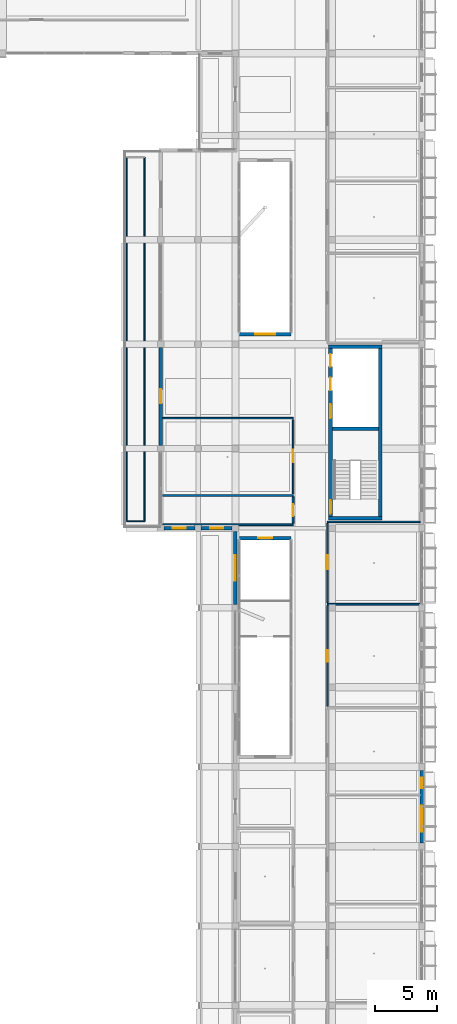
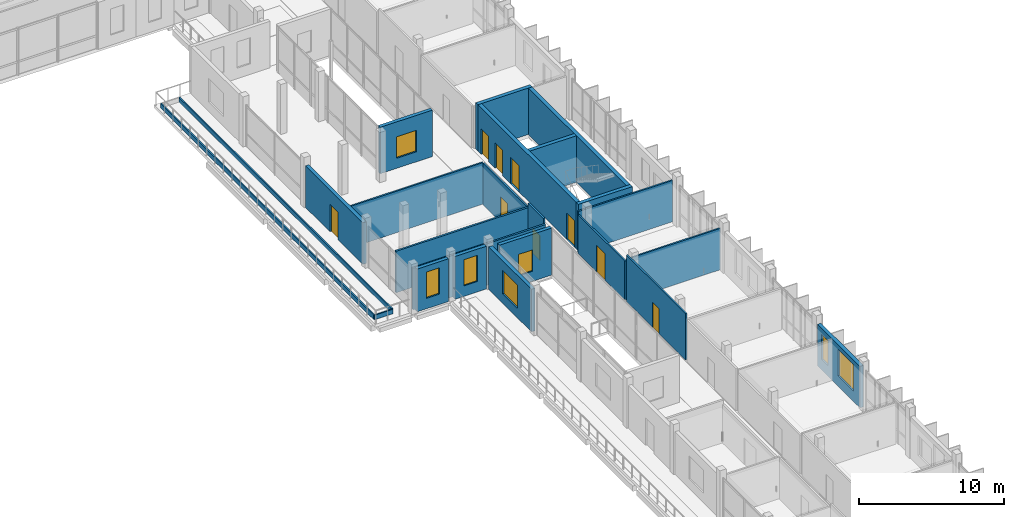
# One storey, part 53 of 85: 24 walls, 9 doors, 7 windows, 16 openings.
"""IFC4 building model written with IfcOpenShell, lengths in metres."""

from ifc_helpers import new_model, si_unit, derived_unit, direction, frame, frame_2d, origin, origin_with_axes, place, context, subcontext, project, spatial, rectangle, extrude, material, layer, layer_set, type_object, element, fill, save


model = new_model("IFC4")

# Units and contexts
model_context = context("Model", 3, precision=1e-05, world=origin(), true_north=direction((0.0, 1.0)))
body_context = subcontext(model_context, "Body", "Model", "MODEL_VIEW")
ifc_project = project(units=[si_unit("LENGTHUNIT", "METRE"), si_unit("AREAUNIT", "SQUARE_METRE"), si_unit("VOLUMEUNIT", "CUBIC_METRE"), si_unit("PLANEANGLEUNIT", "RADIAN"), si_unit("MASSUNIT", "GRAM", prefix="KILO"), derived_unit("THERMALTRANSMITTANCEUNIT", [(si_unit("POWERUNIT", "WATT"), 1), (si_unit("LENGTHUNIT", "METRE"), -2), (si_unit("THERMODYNAMICTEMPERATUREUNIT", "KELVIN"), -1)])], contexts=[model_context])

# Site, building, storey
site_placement = place(None, origin())
site = spatial("IfcSite", under=ifc_project, at=site_placement, CompositionType="ELEMENT")
building_placement = place(site_placement, origin())
building = spatial("IfcBuilding", under=site, at=building_placement, Name="Braskholm Square Health Centre", CompositionType="ELEMENT")
storey_placement = place(building_placement, frame((0.0, 0.0, 9.300048828125)))
storey = spatial("IfcBuildingStorey", under=building, at=storey_placement, Name="L03", CompositionType="ELEMENT", Elevation=9.300048828125)

# Wall, opening, door
ifc_material_1 = material(Name="Acoustic gypsum board partition")
ifc_layer_1 = layer(ifc_material_1, 0.125)
ifc_layer_set_1 = layer_set([ifc_layer_1], Name="Acoustic gypsum board partition")
wall_type_1 = type_object("IfcWallType", Name="ClinicalExamPartition125", PredefinedType="PARTITIONING", material=ifc_layer_set_1)
wall_1_placement = place(storey_placement, frame((156.199951171875, 34.659912109375, 0.0), z_axis=(0.0, 0.0, 1.0), x_axis=(0.0, 1.0, 0.0)))
wall_1 = element("IfcWall", 1, at=wall_1_placement, inside=storey, type_object=wall_type_1, Name="Interior partition PWALL-L03-0390", PredefinedType="PARTITIONING", context=body_context, shape_type="SweptSolid", body=[
    extrude(rectangle(XDim=8.10009765625, YDim=0.125, at=frame_2d((4.050048828125, 0.0))), origin(), (0.0, 0.0, 1.0), 3.89501953125),
])
opening_1_placement = place(wall_1_placement, frame((3.60009765625, 0.0, 0.0)))
opening_1 = element("IfcOpeningElement", 2, at=opening_1_placement, cuts=wall_1, Name="Opening D-07", PredefinedType="OPENING", context=body_context, shape_type="SweptSolid", body=[
    extrude(rectangle(XDim=0.89990234375, YDim=2.1201171875, at=frame_2d((0.449951171875, 1.06005859375))), frame((0.0, 0.072509765625, 0.0), z_axis=(0.0, -1.0, 0.0), x_axis=(1.0, 0.0, 0.0)), (0.0, 0.0, 1.0), 0.14501953125),
])
ifc_material_2 = material(Name="Architectural bronze anodised aluminium", Category="aluminium")
door_type_1 = type_object("IfcDoorType", Name="DoorProviderOffice900x2120", OperationType="NOTDEFINED", PredefinedType="DOOR", material=ifc_material_2)
door_1_placement = place(opening_1_placement, frame((0.89990234375, 0.0, 0.0), z_axis=(0.0, 0.0, 1.0), x_axis=(-1.0, 0.0, 0.0)))
door_1 = element("IfcDoor", 3, at=door_1_placement, inside=storey, type_object=door_type_1, Name="Interior door 0183 L03", OperationType="SINGLE_SWING_LEFT", OverallHeight=2.1201171875, OverallWidth=0.89990234375, PredefinedType="DOOR", context=body_context, shape_type="SweptSolid", body=[
    extrude(rectangle(XDim=0.89990234375, YDim=2.1201171875, at=frame_2d((0.449951171875, 1.06005859375))), frame((0.0, 0.02490234375, 0.0), z_axis=(0.0, -1.0, 0.0), x_axis=(1.0, 0.0, 0.0)), (0.0, 0.0, 1.0), 0.050048828125),
])
fill(opening_1, door_1)

# Wall
wall_2_placement = place(storey_placement, frame((156.199951171875, 42.8798828125, 0.0), z_axis=(0.0, 0.0, 1.0), x_axis=(1.0, 0.0, 0.0)))
element("IfcWall", 4, at=wall_2_placement, inside=storey, type_object=wall_type_1, Name="Interior partition PWALL-L03-0391", PredefinedType="PARTITIONING", context=body_context, shape_type="SweptSolid", body=[
    extrude(rectangle(XDim=7.4599609375, YDim=0.125, at=frame_2d((3.72998046875, 0.0))), origin(), (0.0, 0.0, 1.0), 3.474853515625),
])

# Wall, opening, door
wall_3_placement = place(storey_placement, frame((156.199951171875, 43.0, 0.0), z_axis=(0.0, 0.0, 1.0), x_axis=(0.0, 1.0, 0.0)))
wall_3 = element("IfcWall", 5, at=wall_3_placement, inside=storey, type_object=wall_type_1, Name="Interior partition PWALL-L03-0392", PredefinedType="PARTITIONING", context=body_context, shape_type="SweptSolid", body=[
    extrude(rectangle(XDim=6.3798828125, YDim=0.125, at=frame_2d((3.18994140625, 0.0))), origin(), (0.0, 0.0, 1.0), 3.244873046875),
])
opening_2_placement = place(wall_3_placement, frame((2.696044921875, 0.0, 0.0)))
opening_2 = element("IfcOpeningElement", 6, at=opening_2_placement, cuts=wall_3, Name="Opening D-26", PredefinedType="OPENING", context=body_context, shape_type="SweptSolid", body=[
    extrude(rectangle(XDim=1.139892578125, YDim=2.219970703125, at=frame_2d((0.56982421875, 1.10986328125))), frame((0.0, 0.072509765625, 0.0), z_axis=(0.0, -1.0, 0.0), x_axis=(1.0, 0.0, 0.0)), (0.0, 0.0, 1.0), 0.14501953125),
])
door_type_2 = type_object("IfcDoorType", Name="DoorExamWide1140x2220", OperationType="NOTDEFINED", PredefinedType="DOOR", material=ifc_material_2)
door_2_placement = place(opening_2_placement, frame((1.139892578125, 0.0, 0.0), z_axis=(0.0, 0.0, 1.0), x_axis=(-1.0, 0.0, 0.0)))
door_2 = element("IfcDoor", 7, at=door_2_placement, inside=storey, type_object=door_type_2, Name="Interior door 0184 L03", OperationType="SINGLE_SWING_RIGHT", OverallHeight=2.219970703125, OverallWidth=1.139892578125, PredefinedType="DOOR", context=body_context, shape_type="SweptSolid", body=[
    extrude(rectangle(XDim=1.139892578125, YDim=2.219970703125, at=frame_2d((0.56982421875, 1.10986328125))), frame((0.0, 0.02490234375, 0.0), z_axis=(0.0, -1.0, 0.0), x_axis=(1.0, 0.0, 0.0)), (0.0, 0.0, 1.0), 0.050048828125),
])
fill(opening_2, door_2)

# Wall
wall_4_placement = place(storey_placement, frame((156.199951171875, 49.5, 0.0), z_axis=(0.0, 0.0, 1.0), x_axis=(1.0, 0.0, 0.0)))
element("IfcWall", 8, at=wall_4_placement, inside=storey, type_object=wall_type_1, Name="Interior partition PWALL-L03-0393", PredefinedType="PARTITIONING", context=body_context, shape_type="SweptSolid", body=[
    extrude(rectangle(XDim=7.4599609375, YDim=0.125, at=frame_2d((3.72998046875, 0.0))), origin(), (0.0, 0.0, 1.0), 3.474853515625),
])

# Wall, opening, door
wall_5_placement = place(storey_placement, frame((153.449951171875, 51.75, 0.0), z_axis=(0.0, 0.0, 1.0), x_axis=(0.0, 1.0, 0.0)))
wall_5 = element("IfcWall", 9, at=wall_5_placement, inside=storey, type_object=wall_type_1, Name="Interior partition PWALL-L03-0418", PredefinedType="PARTITIONING", context=body_context, shape_type="SweptSolid", body=[
    extrude(rectangle(XDim=5.97998046875, YDim=0.125, at=frame_2d((2.989990234375, 0.0))), origin(), (0.0, 0.0, 1.0), 3.494873046875),
])
opening_3_placement = place(wall_5_placement, frame((2.56689453125, 0.0, 0.0)))
opening_3 = element("IfcOpeningElement", 10, at=opening_3_placement, cuts=wall_5, Name="Opening D-02", PredefinedType="OPENING", context=body_context, shape_type="SweptSolid", body=[
    extrude(rectangle(XDim=1.0, YDim=2.14990234375, at=frame_2d((0.5, 1.074951171875))), frame((0.0, 0.072509765625, 0.0), z_axis=(0.0, -1.0, 0.0), x_axis=(1.0, 0.0, 0.0)), (0.0, 0.0, 1.0), 0.14501953125),
])
door_type_3 = type_object("IfcDoorType", Name="DoorExamSingle1000x2150", OperationType="NOTDEFINED", PredefinedType="DOOR", material=ifc_material_2)
door_3_placement = place(opening_3_placement, origin_with_axes())
door_3 = element("IfcDoor", 11, at=door_3_placement, inside=storey, type_object=door_type_3, Name="Interior door 0197 L03", OperationType="SINGLE_SWING_RIGHT", OverallHeight=2.14990234375, OverallWidth=1.0, PredefinedType="DOOR", context=body_context, shape_type="SweptSolid", body=[
    extrude(rectangle(XDim=1.0, YDim=2.14990234375, at=frame_2d((0.5, 1.074951171875))), frame((0.0, 0.02490234375, 0.0), z_axis=(0.0, -1.0, 0.0), x_axis=(1.0, 0.0, 0.0)), (0.0, 0.0, 1.0), 0.050048828125),
])
fill(opening_3, door_3)

# Wall
wall_6_placement = place(storey_placement, frame((142.93994140625, 57.85009765625, 0.0), z_axis=(0.0, 0.0, 1.0), x_axis=(1.0, 0.0, 0.0)))
element("IfcWall", 12, at=wall_6_placement, inside=storey, type_object=wall_type_1, Name="Interior partition PWALL-L03-0419", PredefinedType="PARTITIONING", context=body_context, shape_type="SweptSolid", body=[
    extrude(rectangle(XDim=10.510009765625, YDim=0.125, at=frame_2d((5.2548828125, 0.0))), origin(), (0.0, 0.0, 1.0), 3.48486328125),
])

# Wall, opening, door
ifc_layer_2 = layer(ifc_material_1, 0.14990234375)
ifc_layer_set_2 = layer_set([ifc_layer_2], Name="Acoustic gypsum board partition")
wall_type_2 = type_object("IfcWallType", Name="CorridorAcousticPartition150", PredefinedType="PARTITIONING", material=ifc_layer_set_2)
wall_7_placement = place(storey_placement, frame((153.449951171875, 49.39990234375, 0.0), z_axis=(0.0, 0.0, 1.0), x_axis=(0.0, 1.0, 0.0)))
wall_7 = element("IfcWall", 13, at=wall_7_placement, inside=storey, type_object=wall_type_2, Name="Interior partition PWALL-L03-0415", PredefinedType="PARTITIONING", context=body_context, shape_type="SweptSolid", body=[
    extrude(rectangle(XDim=2.110107421875, YDim=0.14990234375, at=frame_2d((1.05517578125, 0.0))), origin(), (0.0, 0.0, 1.0), 3.89501953125),
])
opening_4_placement = place(wall_7_placement, frame((0.574951171875, 0.0, 0.0)))
opening_4 = element("IfcOpeningElement", 14, at=opening_4_placement, cuts=wall_7, Name="Opening D-05", PredefinedType="OPENING", context=body_context, shape_type="SweptSolid", body=[
    extrude(rectangle(XDim=0.9599609375, YDim=2.10009765625, at=frame_2d((0.47998046875, 1.050048828125))), frame((0.0, 0.0849609375, 0.0), z_axis=(0.0, -1.0, 0.0), x_axis=(1.0, 0.0, 0.0)), (0.0, 0.0, 1.0), 0.169921875),
])
door_type_4 = type_object("IfcDoorType", Name="DoorAccessibleWC960x2100", OperationType="NOTDEFINED", PredefinedType="DOOR", material=ifc_material_2)
door_4_placement = place(opening_4_placement, origin_with_axes())
door_4 = element("IfcDoor", 15, at=door_4_placement, inside=storey, type_object=door_type_4, Name="Interior door 0196 L03", OperationType="SINGLE_SWING_LEFT", OverallHeight=2.10009765625, OverallWidth=0.9599609375, PredefinedType="DOOR", context=body_context, shape_type="SweptSolid", body=[
    extrude(rectangle(XDim=0.9599609375, YDim=2.10009765625, at=frame_2d((0.47998046875, 1.050048828125))), frame((0.0, 0.02490234375, 0.0), z_axis=(0.0, -1.0, 0.0), x_axis=(1.0, 0.0, 0.0)), (0.0, 0.0, 1.0), 0.050048828125),
])
fill(opening_4, door_4)

# Walls
for number, where, z_axis, x_axis, name in (
    (16, (142.93994140625, 49.280029296875, 0.0), (0.0, 0.0, 1.0), (1.0, 0.0, 0.0), "Interior partition PWALL-L03-0416"),
    (17, (142.93994140625, 51.6298828125, 0.0), (0.0, 0.0, 1.0), (1.0, 0.0, 0.0), "Interior partition PWALL-L03-0417"),
):
    element("IfcWall", number, at=place(storey_placement, frame(where, z_axis=z_axis, x_axis=x_axis)), inside=storey, type_object=wall_type_2, Name=name, PredefinedType="PARTITIONING", context=body_context, shape_type="SweptSolid", body=[
        extrude(rectangle(XDim=10.510009765625, YDim=0.14990234375, at=frame_2d((5.2548828125, 0.0))), origin(), (0.0, 0.0, 1.0), 3.48486328125),
    ])

# Wall, openings, windows
ifc_material_3 = material(Name="Precast concrete C40/50 architectural white", Category="concrete")
ifc_layer_3 = layer(ifc_material_3, 0.280029296875)
ifc_layer_set_3 = layer_set([ifc_layer_3], Name="Precast concrete C40/50 architectural white")
wall_type_3 = type_object("IfcWallType", Name="ExteriorPrecastSpandrelWall280", PredefinedType="SOLIDWALL", material=ifc_layer_set_3)
wall_8_placement = place(storey_placement, frame((163.800048828125, 23.681884765625, 0.0), z_axis=(0.0, 0.0, 1.0), x_axis=(0.0, 1.0, 0.0)))
wall_8 = element("IfcWall", 18, at=wall_8_placement, inside=storey, type_object=wall_type_3, Name="Exterior wall EWALL-L03-0071", PredefinedType="SOLIDWALL", context=body_context, shape_type="SweptSolid", body=[
    extrude(rectangle(XDim=5.836181640625, YDim=0.280029296875, at=frame_2d((2.91796875, 0.0))), origin(), (0.0, 0.0, 1.0), 3.47998046875),
])
opening_5_placement = place(wall_8_placement, frame((0.89794921875, 0.0, 0.8798828125)))
opening_5 = element("IfcOpeningElement", 19, at=opening_5_placement, cuts=wall_8, Name="Opening WN-04", PredefinedType="OPENING", context=body_context, shape_type="SweptSolid", body=[
    extrude(rectangle(XDim=2.10009765625, YDim=2.199951171875, at=frame_2d((1.050048828125, 1.10009765625))), frame((0.0, 0.14990234375, 0.0), z_axis=(0.0, -1.0, 0.0), x_axis=(1.0, 0.0, 0.0)), (0.0, 0.0, 1.0), 0.300048828125),
])
opening_6_placement = place(wall_8_placement, frame((4.403076171875, 0.0, 0.8798828125)))
opening_6 = element("IfcOpeningElement", 20, at=opening_6_placement, cuts=wall_8, Name="Opening WN-32", PredefinedType="OPENING", context=body_context, shape_type="SweptSolid", body=[
    extrude(rectangle(XDim=0.85009765625, YDim=2.10009765625, at=frame_2d((0.425048828125, 1.050048828125))), frame((0.0, 0.14990234375, 0.0), z_axis=(0.0, -1.0, 0.0), x_axis=(1.0, 0.0, 0.0)), (0.0, 0.0, 1.0), 0.300048828125),
])
ifc_material_4 = material(Name="Low-E triple insulating glass (VLT 0.64)", Category="glass")
window_type_1 = type_object("IfcWindowType", Name="WinArtDecoNarrow850x2100", PartitioningType="SINGLE_PANEL", PredefinedType="WINDOW", material=ifc_material_4)
window_1_placement = place(opening_6_placement, origin_with_axes())
window_1 = element("IfcWindow", 21, at=window_1_placement, inside=storey, type_object=window_type_1, Name="Exterior window 0124 L03", OverallHeight=2.10009765625, OverallWidth=0.85009765625, PartitioningType="SINGLE_PANEL", PredefinedType="WINDOW", context=body_context, shape_type="SweptSolid", body=[
    extrude(rectangle(XDim=0.85009765625, YDim=2.10009765625, at=frame_2d((0.425048828125, 1.050048828125))), frame((0.0, 0.030029296875, 0.0), z_axis=(0.0, -1.0, 0.0), x_axis=(1.0, 0.0, 0.0)), (0.0, 0.0, 1.0), 0.06005859375),
])
fill(opening_6, window_1)
window_type_2 = type_object("IfcWindowType", Name="WinArtDecoTriple2100x2200", PartitioningType="SINGLE_PANEL", PredefinedType="WINDOW", material=ifc_material_4)
window_2_placement = place(opening_5_placement, origin_with_axes())
window_2 = element("IfcWindow", 22, at=window_2_placement, inside=storey, type_object=window_type_2, Name="Exterior window 0123 L03", OverallHeight=2.199951171875, OverallWidth=2.10009765625, PartitioningType="SINGLE_PANEL", PredefinedType="WINDOW", context=body_context, shape_type="SweptSolid", body=[
    extrude(rectangle(XDim=2.10009765625, YDim=2.199951171875, at=frame_2d((1.050048828125, 1.10009765625))), frame((0.0, 0.030029296875, 0.0), z_axis=(0.0, -1.0, 0.0), x_axis=(1.0, 0.0, 0.0)), (0.0, 0.0, 1.0), 0.06005859375),
])
fill(opening_5, window_2)

# Wall, opening, window
wall_9_placement = place(storey_placement, frame((148.800048828125, 48.748046875, 0.0), z_axis=(0.0, 0.0, 1.0), x_axis=(0.0, -1.0, 0.0)))
wall_9 = element("IfcWall", 23, at=wall_9_placement, inside=storey, type_object=wall_type_3, Name="Exterior wall EWALL-L03-0186", PredefinedType="SOLIDWALL", context=body_context, shape_type="SweptSolid", body=[
    extrude(rectangle(XDim=5.89599609375, YDim=0.280029296875, at=frame_2d((2.947998046875, 0.0))), origin(), (0.0, 0.0, 1.0), 3.570068359375),
])
opening_7_placement = place(wall_9_placement, frame((1.923095703125, 0.0, 0.800048828125)))
opening_7 = element("IfcOpeningElement", 24, at=opening_7_placement, cuts=wall_9, Name="Opening WN-25", PredefinedType="OPENING", context=body_context, shape_type="SweptSolid", body=[
    extrude(rectangle(XDim=2.050048828125, YDim=1.949951171875, at=frame_2d((1.02490234375, 0.97509765625))), frame((0.0, 0.14990234375, 0.0), z_axis=(0.0, -1.0, 0.0), x_axis=(1.0, 0.0, 0.0)), (0.0, 0.0, 1.0), 0.300048828125),
])
window_type_3 = type_object("IfcWindowType", Name="WinValleyTerrace2050x1950", PartitioningType="SINGLE_PANEL", PredefinedType="WINDOW", material=ifc_material_4)
window_3_placement = place(opening_7_placement, origin_with_axes())
window_3 = element("IfcWindow", 25, at=window_3_placement, inside=storey, type_object=window_type_3, Name="Exterior window 0244 L03", OverallHeight=1.949951171875, OverallWidth=2.050048828125, PartitioningType="SINGLE_PANEL", PredefinedType="WINDOW", context=body_context, shape_type="SweptSolid", body=[
    extrude(rectangle(XDim=2.050048828125, YDim=1.949951171875, at=frame_2d((1.02490234375, 0.97509765625))), frame((0.0, 0.030029296875, 0.0), z_axis=(0.0, -1.0, 0.0), x_axis=(1.0, 0.0, 0.0)), (0.0, 0.0, 1.0), 0.06005859375),
])
fill(opening_7, window_3)

# Wall, opening, door
wall_10_placement = place(storey_placement, frame((142.800048828125, 63.548095703125, 0.0), z_axis=(0.0, 0.0, 1.0), x_axis=(0.0, -1.0, 0.0)))
wall_10 = element("IfcWall", 26, at=wall_10_placement, inside=storey, type_object=wall_type_3, Name="Exterior wall EWALL-L03-0187", PredefinedType="SOLIDWALL", context=body_context, shape_type="SweptSolid", body=[
    extrude(rectangle(XDim=7.89599609375, YDim=0.280029296875, at=frame_2d((3.947998046875, 0.0))), origin(), (0.0, 0.0, 1.0), 3.489990234375),
])
opening_8_placement = place(wall_10_placement, frame((3.3779296875, 0.0, 0.0)))
opening_8 = element("IfcOpeningElement", 27, at=opening_8_placement, cuts=wall_10, Name="Opening D-T1", PredefinedType="OPENING", context=body_context, shape_type="SweptSolid", body=[
    extrude(rectangle(XDim=1.139892578125, YDim=2.300048828125, at=frame_2d((0.56982421875, 1.14990234375))), frame((0.0, 0.14990234375, 0.0), z_axis=(0.0, -1.0, 0.0), x_axis=(1.0, 0.0, 0.0)), (0.0, 0.0, 1.0), 0.300048828125),
])
door_type_5 = type_object("IfcDoorType", Name="DoorPlantedTerrace1140x2300", OperationType="NOTDEFINED", PredefinedType="DOOR", material=ifc_material_4)
door_5_placement = place(opening_8_placement, frame((1.139892578125, 0.0, 0.0), z_axis=(0.0, 0.0, 1.0), x_axis=(-1.0, 0.0, 0.0)))
door_5 = element("IfcDoor", 28, at=door_5_placement, inside=storey, type_object=door_type_5, Name="Exterior door 0028 L03", OperationType="SINGLE_SWING_RIGHT", OverallHeight=2.300048828125, OverallWidth=1.139892578125, PredefinedType="DOOR", context=body_context, shape_type="SweptSolid", body=[
    extrude(rectangle(XDim=1.139892578125, YDim=2.300048828125, at=frame_2d((0.56982421875, 1.14990234375))), frame((0.0, 0.02490234375, 0.0), z_axis=(0.0, -1.0, 0.0), x_axis=(1.0, 0.0, 0.0)), (0.0, 0.0, 1.0), 0.050048828125),
])
fill(opening_8, door_5)

# Wall, opening, window
wall_11_placement = place(storey_placement, frame((143.052001953125, 49.0, 0.0), z_axis=(0.0, 0.0, 1.0), x_axis=(1.0, 0.0, 0.0)))
wall_11 = element("IfcWall", 29, at=wall_11_placement, inside=storey, type_object=wall_type_3, Name="Exterior wall EWALL-L03-0215", PredefinedType="SOLIDWALL", context=body_context, shape_type="SweptSolid", body=[
    extrude(rectangle(XDim=2.49609375, YDim=0.280029296875, at=frame_2d((1.248046875, 0.0))), origin(), (0.0, 0.0, 1.0), 3.58984375),
])
opening_9_placement = place(wall_11_placement, frame((0.722900390625, 0.0, 0.8798828125)))
opening_9 = element("IfcOpeningElement", 30, at=opening_9_placement, cuts=wall_11, Name="Opening WN-02", PredefinedType="OPENING", context=body_context, shape_type="SweptSolid", body=[
    extrude(rectangle(XDim=1.050048828125, YDim=2.199951171875, at=frame_2d((0.52490234375, 1.10009765625))), frame((0.0, 0.14990234375, 0.0), z_axis=(0.0, -1.0, 0.0), x_axis=(1.0, 0.0, 0.0)), (0.0, 0.0, 1.0), 0.300048828125),
])
window_type_4 = type_object("IfcWindowType", Name="WinArtDecoLancet1050x2200", PartitioningType="SINGLE_PANEL", PredefinedType="WINDOW", material=ifc_material_4)
window_4_placement = place(opening_9_placement, origin_with_axes())
window_4 = element("IfcWindow", 31, at=window_4_placement, inside=storey, type_object=window_type_4, Name="Exterior window 0266 L03", OverallHeight=2.199951171875, OverallWidth=1.050048828125, PartitioningType="SINGLE_PANEL", PredefinedType="WINDOW", context=body_context, shape_type="SweptSolid", body=[
    extrude(rectangle(XDim=1.050048828125, YDim=2.199951171875, at=frame_2d((0.52490234375, 1.10009765625))), frame((0.0, 0.030029296875, 0.0), z_axis=(0.0, -1.0, 0.0), x_axis=(1.0, 0.0, 0.0)), (0.0, 0.0, 1.0), 0.06005859375),
])
fill(opening_9, window_4)

wall_12_placement = place(storey_placement, frame((146.052001953125, 49.0, 0.0), z_axis=(0.0, 0.0, 1.0), x_axis=(1.0, 0.0, 0.0)))
wall_12 = element("IfcWall", 32, at=wall_12_placement, inside=storey, type_object=wall_type_3, Name="Exterior wall EWALL-L03-0216", PredefinedType="SOLIDWALL", context=body_context, shape_type="SweptSolid", body=[
    extrude(rectangle(XDim=2.49609375, YDim=0.280029296875, at=frame_2d((1.248046875, 0.0))), origin(), (0.0, 0.0, 1.0), 3.58984375),
])
opening_10_placement = place(wall_12_placement, frame((0.722900390625, 0.0, 0.8798828125)))
opening_10 = element("IfcOpeningElement", 33, at=opening_10_placement, cuts=wall_12, Name="Opening WN-02", PredefinedType="OPENING", context=body_context, shape_type="SweptSolid", body=[
    extrude(rectangle(XDim=1.050048828125, YDim=2.199951171875, at=frame_2d((0.52490234375, 1.10009765625))), frame((0.0, 0.14990234375, 0.0), z_axis=(0.0, -1.0, 0.0), x_axis=(1.0, 0.0, 0.0)), (0.0, 0.0, 1.0), 0.300048828125),
])
window_5_placement = place(opening_10_placement, origin_with_axes())
window_5 = element("IfcWindow", 34, at=window_5_placement, inside=storey, type_object=window_type_4, Name="Exterior window 0267 L03", OverallHeight=2.199951171875, OverallWidth=1.050048828125, PartitioningType="SINGLE_PANEL", PredefinedType="WINDOW", context=body_context, shape_type="SweptSolid", body=[
    extrude(rectangle(XDim=1.050048828125, YDim=2.199951171875, at=frame_2d((0.52490234375, 1.10009765625))), frame((0.0, 0.030029296875, 0.0), z_axis=(0.0, -1.0, 0.0), x_axis=(1.0, 0.0, 0.0)), (0.0, 0.0, 1.0), 0.06005859375),
])
fill(opening_10, window_5)

wall_13_placement = place(storey_placement, frame((149.134033203125, 48.199951171875, 0.0), z_axis=(0.0, 0.0, 1.0), x_axis=(1.0, 0.0, 0.0)))
wall_13 = element("IfcWall", 35, at=wall_13_placement, inside=storey, type_object=wall_type_3, Name="Exterior wall EWALL-L03-0312", PredefinedType="SOLIDWALL", context=body_context, shape_type="SweptSolid", body=[
    extrude(rectangle(XDim=4.132080078125, YDim=0.280029296875, at=frame_2d((2.06591796875, 0.0))), origin(), (0.0, 0.0, 1.0), 3.949951171875),
])
opening_11_placement = place(wall_13_placement, frame((1.51611328125, 0.0, 0.85009765625)))
opening_11 = element("IfcOpeningElement", 36, at=opening_11_placement, cuts=wall_13, Name="Opening WN-26", PredefinedType="OPENING", context=body_context, shape_type="SweptSolid", body=[
    extrude(rectangle(XDim=1.10009765625, YDim=1.800048828125, at=frame_2d((0.550048828125, 0.89990234375))), frame((0.0, 0.14990234375, 0.0), z_axis=(0.0, -1.0, 0.0), x_axis=(1.0, 0.0, 0.0)), (0.0, 0.0, 1.0), 0.300048828125),
])
window_type_5 = type_object("IfcWindowType", Name="WinLightCourt1100x1800", PartitioningType="SINGLE_PANEL", PredefinedType="WINDOW", material=ifc_material_4)
window_6_placement = place(opening_11_placement, origin_with_axes())
window_6 = element("IfcWindow", 37, at=window_6_placement, inside=storey, type_object=window_type_5, Name="Exterior window 0358 L03", OverallHeight=1.800048828125, OverallWidth=1.10009765625, PartitioningType="SINGLE_PANEL", PredefinedType="WINDOW", context=body_context, shape_type="SweptSolid", body=[
    extrude(rectangle(XDim=1.10009765625, YDim=1.800048828125, at=frame_2d((0.550048828125, 0.89990234375))), frame((0.0, 0.030029296875, 0.0), z_axis=(0.0, -1.0, 0.0), x_axis=(1.0, 0.0, 0.0)), (0.0, 0.0, 1.0), 0.06005859375),
])
fill(opening_11, window_6)

wall_14_placement = place(storey_placement, frame((153.26611328125, 64.60009765625, 0.0), z_axis=(0.0, 0.0, 1.0), x_axis=(-1.0, 0.0, 0.0)))
wall_14 = element("IfcWall", 38, at=wall_14_placement, inside=storey, type_object=wall_type_3, Name="Exterior wall EWALL-L03-0321", PredefinedType="SOLIDWALL", context=body_context, shape_type="SweptSolid", body=[
    extrude(rectangle(XDim=4.132080078125, YDim=0.280029296875, at=frame_2d((2.06591796875, 0.0))), origin(), (0.0, 0.0, 1.0), 3.89990234375),
])
opening_12_placement = place(wall_14_placement, frame((1.26611328125, 0.0, 0.85009765625)))
opening_12 = element("IfcOpeningElement", 39, at=opening_12_placement, cuts=wall_14, Name="Opening WN-27", PredefinedType="OPENING", context=body_context, shape_type="SweptSolid", body=[
    extrude(rectangle(XDim=1.60009765625, YDim=1.800048828125, at=frame_2d((0.800048828125, 0.89990234375))), frame((0.0, 0.14990234375, 0.0), z_axis=(0.0, -1.0, 0.0), x_axis=(1.0, 0.0, 0.0)), (0.0, 0.0, 1.0), 0.300048828125),
])
window_type_6 = type_object("IfcWindowType", Name="WinLightCourt1600x1800", PartitioningType="SINGLE_PANEL", PredefinedType="WINDOW", material=ifc_material_4)
window_7_placement = place(opening_12_placement, origin_with_axes())
window_7 = element("IfcWindow", 40, at=window_7_placement, inside=storey, type_object=window_type_6, Name="Exterior window 0367 L03", OverallHeight=1.800048828125, OverallWidth=1.60009765625, PartitioningType="SINGLE_PANEL", PredefinedType="WINDOW", context=body_context, shape_type="SweptSolid", body=[
    extrude(rectangle(XDim=1.60009765625, YDim=1.800048828125, at=frame_2d((0.800048828125, 0.89990234375))), frame((0.0, 0.030029296875, 0.0), z_axis=(0.0, -1.0, 0.0), x_axis=(1.0, 0.0, 0.0)), (0.0, 0.0, 1.0), 0.06005859375),
])
fill(opening_12, window_7)

# Walls
ifc_material_5 = material(Name="Concrete C40/50 (f'c = 40 MPa)", Category="concrete")
ifc_layer_4 = layer(ifc_material_5, 0.300048828125)
ifc_layer_set_4 = layer_set([ifc_layer_4], Name="Concrete C40/50 (f'c = 40 MPa)")
wall_type_4 = type_object("IfcWallType", Name="ShearCoreWall300", PredefinedType="SHEAR", material=ifc_layer_set_4)
for number, where, z_axis, x_axis, name in (
    (41, (156.300048828125, 49.800048828125, 0.0), (0.0, 0.0, 1.0), (1.0, 0.0, 0.0), "CWALL-K4-L03 south wall"),
    (42, (160.60009765625, 63.60009765625, 0.0), (0.0, 0.0, 1.0), (-1.0, 0.0, 0.0), "CWALL-K4-L03 north wall"),
):
    element("IfcWall", number, at=place(storey_placement, frame(where, z_axis=z_axis, x_axis=x_axis)), inside=storey, type_object=wall_type_4, Name=name, PredefinedType="SHEAR", context=body_context, shape_type="SweptSolid", body=[
        extrude(rectangle(XDim=4.300048828125, YDim=0.300048828125, at=frame_2d((2.14990234375, 0.0))), origin(), (0.0, 0.0, 1.0), 3.89990234375),
    ])

# Wall, openings, doors
wall_15_placement = place(storey_placement, frame((156.449951171875, 63.449951171875, 0.0), z_axis=(0.0, 0.0, 1.0), x_axis=(0.0, -1.0, 0.0)))
wall_15 = element("IfcWall", 43, at=wall_15_placement, inside=storey, type_object=wall_type_4, Name="CWALL-K4-L03 west wall", PredefinedType="SHEAR", context=body_context, shape_type="SweptSolid", body=[
    extrude(rectangle(XDim=13.5, YDim=0.300048828125, at=frame_2d((6.75, 0.0))), origin(), (0.0, 0.0, 1.0), 3.89990234375),
])
opening_13_placement = place(wall_15_placement, frame((12.199951171875, 0.0, 0.0)))
opening_13 = element("IfcOpeningElement", 44, at=opening_13_placement, cuts=wall_15, Name="Opening D-22", PredefinedType="OPENING", context=body_context, shape_type="SweptSolid", body=[
    extrude(rectangle(XDim=1.10009765625, YDim=2.199951171875, at=frame_2d((0.550048828125, 1.10009765625))), frame((0.0, 0.16015625, 0.0), z_axis=(0.0, -1.0, 0.0), x_axis=(1.0, 0.0, 0.0)), (0.0, 0.0, 1.0), 0.320068359375),
])
opening_14_placement = place(wall_15_placement, frame((4.47509765625, 0.0, 0.0)))
opening_14 = element("IfcOpeningElement", 45, at=opening_14_placement, cuts=wall_15, Name="Opening LD-1", PredefinedType="OPENING", context=body_context, shape_type="SweptSolid", body=[
    extrude(rectangle(XDim=1.14990234375, YDim=2.199951171875, at=frame_2d((0.574951171875, 1.10009765625))), frame((0.0, 0.16015625, 0.0), z_axis=(0.0, -1.0, 0.0), x_axis=(1.0, 0.0, 0.0)), (0.0, 0.0, 1.0), 0.320068359375),
])
opening_15_placement = place(wall_15_placement, frame((2.340087890625, 0.0, 0.0)))
opening_15 = element("IfcOpeningElement", 46, at=opening_15_placement, cuts=wall_15, Name="Opening LD-2", PredefinedType="OPENING", context=body_context, shape_type="SweptSolid", body=[
    extrude(rectangle(XDim=1.02001953125, YDim=2.14990234375, at=frame_2d((0.510009765625, 1.074951171875))), frame((0.0, 0.16015625, 0.0), z_axis=(0.0, -1.0, 0.0), x_axis=(1.0, 0.0, 0.0)), (0.0, 0.0, 1.0), 0.320068359375),
])
opening_16_placement = place(wall_15_placement, frame((0.43994140625, 0.0, 0.0)))
opening_16 = element("IfcOpeningElement", 47, at=opening_16_placement, cuts=wall_15, Name="Opening LD-2", PredefinedType="OPENING", context=body_context, shape_type="SweptSolid", body=[
    extrude(rectangle(XDim=1.02001953125, YDim=2.14990234375, at=frame_2d((0.510009765625, 1.074951171875))), frame((0.0, 0.16015625, 0.0), z_axis=(0.0, -1.0, 0.0), x_axis=(1.0, 0.0, 0.0)), (0.0, 0.0, 1.0), 0.320068359375),
])
door_type_6 = type_object("IfcDoorType", Name="DoorLiftLandingPassenger1020x2150", OperationType="SLIDING_TO_LEFT", PredefinedType="DOOR", material=ifc_material_2)
door_6_placement = place(opening_15_placement, origin_with_axes())
door_6 = element("IfcDoor", 48, at=door_6_placement, inside=storey, type_object=door_type_6, Name="Elevator EL-05 sliding landing door L03", OperationType="SLIDING_TO_LEFT", OverallHeight=2.14990234375, OverallWidth=1.02001953125, PredefinedType="DOOR", context=body_context, shape_type="SweptSolid", body=[
    extrude(rectangle(XDim=1.02001953125, YDim=2.14990234375, at=frame_2d((0.510009765625, 1.074951171875))), frame((0.0, 0.02490234375, 0.0), z_axis=(0.0, -1.0, 0.0), x_axis=(1.0, 0.0, 0.0)), (0.0, 0.0, 1.0), 0.050048828125),
])
fill(opening_15, door_6)
door_7_placement = place(opening_16_placement, origin_with_axes())
door_7 = element("IfcDoor", 49, at=door_7_placement, inside=storey, type_object=door_type_6, Name="Elevator EL-06 sliding landing door L03", OperationType="SLIDING_TO_LEFT", OverallHeight=2.14990234375, OverallWidth=1.02001953125, PredefinedType="DOOR", context=body_context, shape_type="SweptSolid", body=[
    extrude(rectangle(XDim=1.02001953125, YDim=2.14990234375, at=frame_2d((0.510009765625, 1.074951171875))), frame((0.0, 0.02490234375, 0.0), z_axis=(0.0, -1.0, 0.0), x_axis=(1.0, 0.0, 0.0)), (0.0, 0.0, 1.0), 0.050048828125),
])
fill(opening_16, door_7)
door_type_7 = type_object("IfcDoorType", Name="DoorLiftLandingStretcher1150x2200", OperationType="SLIDING_TO_LEFT", PredefinedType="DOOR", material=ifc_material_2)
door_8_placement = place(opening_14_placement, origin_with_axes())
door_8 = element("IfcDoor", 50, at=door_8_placement, inside=storey, type_object=door_type_7, Name="Elevator EL-02 sliding landing door L03", OperationType="SLIDING_TO_LEFT", OverallHeight=2.199951171875, OverallWidth=1.14990234375, PredefinedType="DOOR", context=body_context, shape_type="SweptSolid", body=[
    extrude(rectangle(XDim=1.14990234375, YDim=2.199951171875, at=frame_2d((0.574951171875, 1.10009765625))), frame((0.0, 0.02490234375, 0.0), z_axis=(0.0, -1.0, 0.0), x_axis=(1.0, 0.0, 0.0)), (0.0, 0.0, 1.0), 0.050048828125),
])
fill(opening_14, door_8)
door_type_8 = type_object("IfcDoorType", Name="DoorStairEnclosure1100x2200", OperationType="NOTDEFINED", PredefinedType="DOOR", material=ifc_material_2)
door_9_placement = place(opening_13_placement, origin_with_axes())
door_9 = element("IfcDoor", 51, at=door_9_placement, inside=storey, type_object=door_type_8, Name="Stair ST-04 door L03", OperationType="SINGLE_SWING_RIGHT", OverallHeight=2.199951171875, OverallWidth=1.10009765625, PredefinedType="DOOR", context=body_context, shape_type="SweptSolid", body=[
    extrude(rectangle(XDim=1.10009765625, YDim=2.199951171875, at=frame_2d((0.550048828125, 1.10009765625))), frame((0.0, 0.02490234375, 0.0), z_axis=(0.0, -1.0, 0.0), x_axis=(1.0, 0.0, 0.0)), (0.0, 0.0, 1.0), 0.050048828125),
])
fill(opening_13, door_9)

# Walls
wall_16_placement = place(storey_placement, frame((160.449951171875, 49.949951171875, 0.0), z_axis=(0.0, 0.0, 1.0), x_axis=(0.0, 1.0, 0.0)))
element("IfcWall", 52, at=wall_16_placement, inside=storey, type_object=wall_type_4, Name="CWALL-K4-L03 east wall", PredefinedType="SHEAR", context=body_context, shape_type="SweptSolid", body=[
    extrude(rectangle(XDim=13.5, YDim=0.300048828125, at=frame_2d((6.75, 0.0))), origin(), (0.0, 0.0, 1.0), 3.89990234375),
])
wall_17_placement = place(storey_placement, frame((156.60009765625, 57.0, 0.0), z_axis=(0.0, 0.0, 1.0), x_axis=(1.0, 0.0, 0.0)))
element("IfcWall", 53, at=wall_17_placement, inside=storey, type_object=wall_type_4, Name="Core K4 internal shear divider L03", PredefinedType="SHEAR", context=body_context, shape_type="SweptSolid", body=[
    extrude(rectangle(XDim=3.699951171875, YDim=0.300048828125, at=frame_2d((1.85009765625, 0.0))), origin(), (0.0, 0.0, 1.0), 3.89990234375),
])
ifc_layer_5 = layer(ifc_material_3, 0.10009765625)
ifc_layer_set_5 = layer_set([ifc_layer_5], Name="Precast concrete C40/50 architectural white")
wall_type_5 = type_object("IfcWallType", Name="SteppedPrecastParapet100", PredefinedType="PARAPET", material=ifc_layer_set_5)
wall_18_placement = place(storey_placement, frame((140.050048828125, 49.550048828125, 0.0), z_axis=(0.0, 0.0, 1.0), x_axis=(1.0, 0.0, 0.0)))
element("IfcWall", 54, at=wall_18_placement, inside=storey, type_object=wall_type_5, Name="Stepped precast planter parapet 013", PredefinedType="PARAPET", context=body_context, shape_type="SweptSolid", body=[
    extrude(rectangle(XDim=1.449951171875, YDim=0.10009765625, at=frame_2d((0.72509765625, 0.0))), origin(), (0.0, 0.0, 1.0), 0.3798828125),
])
for number, where, z_axis, x_axis, name in (
    (55, (141.5, 49.550048828125, 0.0), (0.0, 0.0, 1.0), (0.0, 1.0, 0.0), "Stepped precast planter parapet 014"),
    (56, (140.050048828125, 78.85009765625, 0.0), (0.0, 0.0, 1.0), (0.0, -1.0, 0.0), "Stepped precast planter parapet 016"),
):
    element("IfcWall", number, at=place(storey_placement, frame(where, z_axis=z_axis, x_axis=x_axis)), inside=storey, type_object=wall_type_5, Name=name, PredefinedType="PARAPET", context=body_context, shape_type="SweptSolid", body=[
        extrude(rectangle(XDim=29.300048828125, YDim=0.10009765625, at=frame_2d((14.64990234375, 0.0))), origin(), (0.0, 0.0, 1.0), 0.3798828125),
    ])

save(model, "model.ifc")
